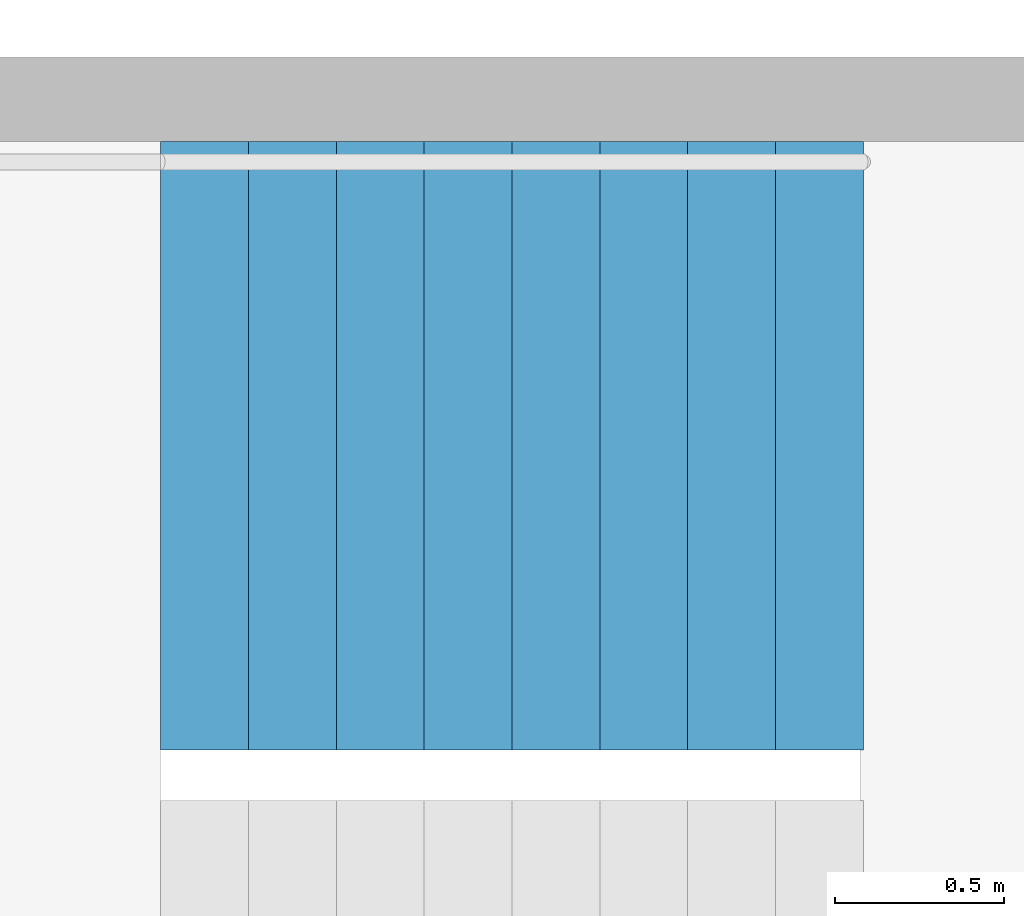
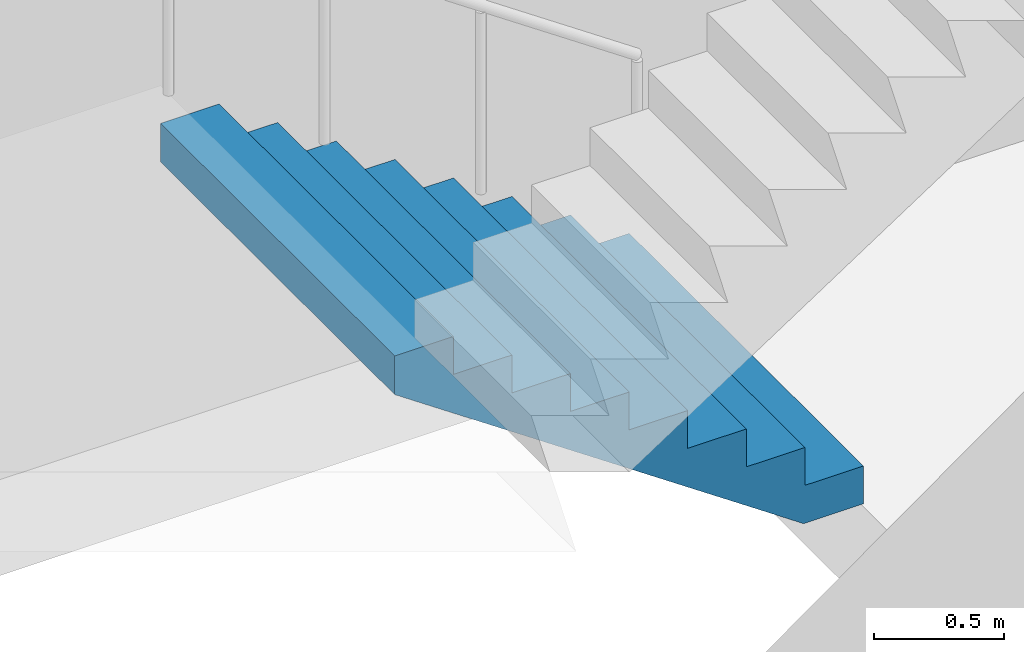
# One storey, part 19 of 26: 1 stair flight, 1 element without a shape of its own.
"""IFC4 building model written with IfcOpenShell, lengths in metres."""

from ifc_helpers import new_model, si_unit, direction, frame, origin, place, context, subcontext, project, spatial, triangles, material, type_object, element, aggregate, save


model = new_model("IFC4")

# Units and contexts
model_context = context("Model", 3, precision=1e-05, world=origin(), true_north=direction((0.0, 1.0)))
body_context = subcontext(model_context, "Body", "Model", "MODEL_VIEW")
ifc_project = project(units=[si_unit("LENGTHUNIT", "METRE"), si_unit("AREAUNIT", "SQUARE_METRE"), si_unit("VOLUMEUNIT", "CUBIC_METRE"), si_unit("PLANEANGLEUNIT", "RADIAN"), si_unit("MASSUNIT", "GRAM", prefix="KILO")], contexts=[model_context])

# Site, building, storey
site_placement = place(None, origin())
site = spatial("IfcSite", under=ifc_project, at=site_placement, CompositionType="ELEMENT")
building_placement = place(site_placement, origin())
building = spatial("IfcBuilding", under=site, at=building_placement, Name="Hakoniwa Tower and Hamabe Station Hall", CompositionType="ELEMENT")
storey_placement = place(building_placement, frame((0.0, 0.0, 199.39990234375)))
storey = spatial("IfcBuildingStorey", under=building, at=storey_placement, Name="L56", CompositionType="ELEMENT", Elevation=199.39990234375)

# Stair, stair flight
ifc_material_1 = material(Name="Concrete C40", Category="concrete")
stair_type = type_object("IfcStairType", Name="ESCAPE STAIR 1800", PredefinedType="HALF_TURN_STAIR", material=ifc_material_1)
stair_placement = place(storey_placement, origin())
stair = element("IfcStair", 1, at=stair_placement, inside=storey, type_object=stair_type, Name="Escape stair ST-2 L56", PredefinedType="HALF_TURN_STAIR")
ifc_material_2 = material(Name="Concrete C40", Category="concrete")
stair_flight_type = type_object("IfcStairFlightType", Name="STAIR FLIGHT 1800", PredefinedType="STRAIGHT", material=ifc_material_2)
stair_flight_placement = place(storey_placement, frame((-23.39990234375, -4.64990234375, 0.0), z_axis=(0.0, 0.0, 1.0), x_axis=(-1.0, 0.0, 0.0)))
stair_flight = element("IfcStairFlight", 2, at=stair_flight_placement, type_object=stair_flight_type, Name="ST-2 flight 1", NumberOfRisers=9, NumberOfTreads=8, PredefinedType="STRAIGHT", RiserHeight=0.177777778, TreadLength=0.26, context=body_context, shape_type="Tessellation", body=[
    triangles([(0.0, 0.89990234375, 0.0), (0.260009765625, 0.89990234375, 0.0), (0.265625, 0.89990234375, 0.0), (0.52001953125, 0.89990234375, 0.174072265625), (0.780029296875, 0.89990234375, 0.351806640625), (1.0400390625, 0.89990234375, 0.529541015625), (1.300048828125, 0.89990234375, 0.707275390625), (1.56005859375, 0.89990234375, 0.885009765625), (1.820068359375, 0.89990234375, 1.062744140625), (2.080078125, 0.89990234375, 1.24072265625), (2.080078125, 0.89990234375, 1.422119140625), (1.820068359375, 0.89990234375, 1.422119140625), (1.820068359375, 0.89990234375, 1.244384765625), (1.56005859375, 0.89990234375, 1.244384765625), (1.56005859375, 0.89990234375, 1.066650390625), (1.300048828125, 0.89990234375, 1.066650390625), (1.300048828125, 0.89990234375, 0.888916015625), (1.0400390625, 0.89990234375, 0.888916015625), (1.0400390625, 0.89990234375, 0.711181640625), (0.780029296875, 0.89990234375, 0.711181640625), (0.780029296875, 0.89990234375, 0.533447265625), (0.52001953125, 0.89990234375, 0.533447265625), (0.52001953125, 0.89990234375, 0.35546875), (0.265625, 0.89990234375, 0.35546875), (0.260009765625, 0.89990234375, 0.35546875), (0.260009765625, 0.89990234375, 0.177734375), (0.0, 0.89990234375, 0.177734375), (0.0, 0.06005859375, 0.0), (0.260009765625, 0.06005859375, 0.0), (0.265625, 0.06005859375, 0.0), (0.52001953125, 0.06005859375, 0.174072265625), (0.780029296875, 0.06005859375, 0.351806640625), (1.0400390625, 0.06005859375, 0.529541015625), (1.300048828125, 0.06005859375, 0.707275390625), (1.56005859375, 0.06005859375, 0.885009765625), (1.820068359375, 0.06005859375, 1.062744140625), (2.080078125, 0.06005859375, 1.24072265625), (2.080078125, 0.06005859375, 1.422119140625), (1.820068359375, 0.06005859375, 1.422119140625), (1.820068359375, 0.06005859375, 1.244384765625), (1.56005859375, 0.06005859375, 1.244384765625), (1.56005859375, 0.06005859375, 1.066650390625), (1.300048828125, 0.06005859375, 1.066650390625), (1.300048828125, 0.06005859375, 0.888916015625), (1.0400390625, 0.06005859375, 0.888916015625), (1.0400390625, 0.06005859375, 0.711181640625), (0.780029296875, 0.06005859375, 0.711181640625), (0.780029296875, 0.06005859375, 0.533447265625), (0.52001953125, 0.06005859375, 0.533447265625), (0.52001953125, 0.06005859375, 0.35546875), (0.265625, 0.06005859375, 0.35546875), (0.260009765625, 0.06005859375, 0.35546875), (0.260009765625, 0.06005859375, 0.177734375), (0.0, 0.06005859375, 0.177734375), (0.0, 0.04296875, 0.0), (0.260009765625, 0.04296875, 0.0), (0.265625, 0.04296875, 0.0), (0.52001953125, 0.04296875, 0.174072265625), (0.780029296875, 0.04296875, 0.351806640625), (1.0400390625, 0.04296875, 0.529541015625), (1.300048828125, 0.04296875, 0.707275390625), (1.56005859375, 0.04296875, 0.885009765625), (1.820068359375, 0.04296875, 1.062744140625), (2.080078125, 0.04296875, 1.24072265625), (2.080078125, 0.04296875, 1.422119140625), (1.820068359375, 0.04296875, 1.422119140625), (1.820068359375, 0.04296875, 1.244384765625), (1.56005859375, 0.04296875, 1.244384765625), (1.56005859375, 0.04296875, 1.066650390625), (1.300048828125, 0.04296875, 1.066650390625), (1.300048828125, 0.04296875, 0.888916015625), (1.0400390625, 0.04296875, 0.888916015625), (1.0400390625, 0.04296875, 0.711181640625), (0.780029296875, 0.04296875, 0.711181640625), (0.780029296875, 0.04296875, 0.533447265625), (0.52001953125, 0.04296875, 0.533447265625), (0.52001953125, 0.04296875, 0.35546875), (0.265625, 0.04296875, 0.35546875), (0.260009765625, 0.04296875, 0.35546875), (0.260009765625, 0.04296875, 0.177734375), (0.0, 0.04296875, 0.177734375), (0.0, 0.025634765625, 0.0), (0.260009765625, 0.025634765625, 0.0), (0.265625, 0.025634765625, 0.0), (0.52001953125, 0.025634765625, 0.174072265625), (0.780029296875, 0.025634765625, 0.351806640625), (1.0400390625, 0.025634765625, 0.529541015625), (1.300048828125, 0.025634765625, 0.707275390625), (1.56005859375, 0.025634765625, 0.885009765625), (1.820068359375, 0.025634765625, 1.062744140625), (2.080078125, 0.025634765625, 1.24072265625), (2.080078125, 0.025634765625, 1.422119140625), (1.820068359375, 0.025634765625, 1.422119140625), (1.820068359375, 0.025634765625, 1.244384765625), (1.56005859375, 0.025634765625, 1.244384765625), (1.56005859375, 0.025634765625, 1.066650390625), (1.300048828125, 0.025634765625, 1.066650390625), (1.300048828125, 0.025634765625, 0.888916015625), (1.0400390625, 0.025634765625, 0.888916015625), (1.0400390625, 0.025634765625, 0.711181640625), (0.780029296875, 0.025634765625, 0.711181640625), (0.780029296875, 0.025634765625, 0.533447265625), (0.52001953125, 0.025634765625, 0.533447265625), (0.52001953125, 0.025634765625, 0.35546875), (0.265625, 0.025634765625, 0.35546875), (0.260009765625, 0.025634765625, 0.35546875), (0.260009765625, 0.025634765625, 0.177734375), (0.0, 0.025634765625, 0.177734375), (0.0, 0.008544921875, 0.0), (0.260009765625, 0.008544921875, 0.0), (0.265625, 0.008544921875, 0.0), (0.52001953125, 0.008544921875, 0.174072265625), (0.780029296875, 0.008544921875, 0.351806640625), (1.0400390625, 0.008544921875, 0.529541015625), (1.300048828125, 0.008544921875, 0.707275390625), (1.56005859375, 0.008544921875, 0.885009765625), (1.820068359375, 0.008544921875, 1.062744140625), (2.080078125, 0.008544921875, 1.24072265625), (2.080078125, 0.008544921875, 1.422119140625), (1.820068359375, 0.008544921875, 1.422119140625), (1.820068359375, 0.008544921875, 1.244384765625), (1.56005859375, 0.008544921875, 1.244384765625), (1.56005859375, 0.008544921875, 1.066650390625), (1.300048828125, 0.008544921875, 1.066650390625), (1.300048828125, 0.008544921875, 0.888916015625), (1.0400390625, 0.008544921875, 0.888916015625), (1.0400390625, 0.008544921875, 0.711181640625), (0.780029296875, 0.008544921875, 0.711181640625), (0.780029296875, 0.008544921875, 0.533447265625), (0.52001953125, 0.008544921875, 0.533447265625), (0.52001953125, 0.008544921875, 0.35546875), (0.265625, 0.008544921875, 0.35546875), (0.260009765625, 0.008544921875, 0.35546875), (0.260009765625, 0.008544921875, 0.177734375), (0.0, 0.008544921875, 0.177734375), (0.0, -0.008544921875, 0.0), (0.260009765625, -0.008544921875, 0.0), (0.265625, -0.008544921875, 0.0), (0.52001953125, -0.008544921875, 0.174072265625), (0.780029296875, -0.008544921875, 0.351806640625), (1.0400390625, -0.008544921875, 0.529541015625), (1.300048828125, -0.008544921875, 0.707275390625), (1.56005859375, -0.008544921875, 0.885009765625), (1.820068359375, -0.008544921875, 1.062744140625), (2.080078125, -0.008544921875, 1.24072265625), (2.080078125, -0.008544921875, 1.422119140625), (1.820068359375, -0.008544921875, 1.422119140625), (1.820068359375, -0.008544921875, 1.244384765625), (1.56005859375, -0.008544921875, 1.244384765625), (1.56005859375, -0.008544921875, 1.066650390625), (1.300048828125, -0.008544921875, 1.066650390625), (1.300048828125, -0.008544921875, 0.888916015625), (1.0400390625, -0.008544921875, 0.888916015625), (1.0400390625, -0.008544921875, 0.711181640625), (0.780029296875, -0.008544921875, 0.711181640625), (0.780029296875, -0.008544921875, 0.533447265625), (0.52001953125, -0.008544921875, 0.533447265625), (0.52001953125, -0.008544921875, 0.35546875), (0.265625, -0.008544921875, 0.35546875), (0.260009765625, -0.008544921875, 0.35546875), (0.260009765625, -0.008544921875, 0.177734375), (0.0, -0.008544921875, 0.177734375), (0.0, -0.025634765625, 0.0), (0.260009765625, -0.025634765625, 0.0), (0.265625, -0.025634765625, 0.0), (0.52001953125, -0.025634765625, 0.174072265625), (0.780029296875, -0.025634765625, 0.351806640625), (1.0400390625, -0.025634765625, 0.529541015625), (1.300048828125, -0.025634765625, 0.707275390625), (1.56005859375, -0.025634765625, 0.885009765625), (1.820068359375, -0.025634765625, 1.062744140625), (2.080078125, -0.025634765625, 1.24072265625), (2.080078125, -0.025634765625, 1.422119140625), (1.820068359375, -0.025634765625, 1.422119140625), (1.820068359375, -0.025634765625, 1.244384765625), (1.56005859375, -0.025634765625, 1.244384765625), (1.56005859375, -0.025634765625, 1.066650390625), (1.300048828125, -0.025634765625, 1.066650390625), (1.300048828125, -0.025634765625, 0.888916015625), (1.0400390625, -0.025634765625, 0.888916015625), (1.0400390625, -0.025634765625, 0.711181640625), (0.780029296875, -0.025634765625, 0.711181640625), (0.780029296875, -0.025634765625, 0.533447265625), (0.52001953125, -0.025634765625, 0.533447265625), (0.52001953125, -0.025634765625, 0.35546875), (0.265625, -0.025634765625, 0.35546875), (0.260009765625, -0.025634765625, 0.35546875), (0.260009765625, -0.025634765625, 0.177734375), (0.0, -0.025634765625, 0.177734375), (0.0, -0.04296875, 0.0), (0.260009765625, -0.04296875, 0.0), (0.265625, -0.04296875, 0.0), (0.52001953125, -0.04296875, 0.174072265625), (0.780029296875, -0.04296875, 0.351806640625), (1.0400390625, -0.04296875, 0.529541015625), (1.300048828125, -0.04296875, 0.707275390625), (1.56005859375, -0.04296875, 0.885009765625), (1.820068359375, -0.04296875, 1.062744140625), (2.080078125, -0.04296875, 1.24072265625), (2.080078125, -0.04296875, 1.422119140625), (1.820068359375, -0.04296875, 1.422119140625), (1.820068359375, -0.04296875, 1.244384765625), (1.56005859375, -0.04296875, 1.244384765625), (1.56005859375, -0.04296875, 1.066650390625), (1.300048828125, -0.04296875, 1.066650390625), (1.300048828125, -0.04296875, 0.888916015625), (1.0400390625, -0.04296875, 0.888916015625), (1.0400390625, -0.04296875, 0.711181640625), (0.780029296875, -0.04296875, 0.711181640625), (0.780029296875, -0.04296875, 0.533447265625), (0.52001953125, -0.04296875, 0.533447265625), (0.52001953125, -0.04296875, 0.35546875), (0.265625, -0.04296875, 0.35546875), (0.260009765625, -0.04296875, 0.35546875), (0.260009765625, -0.04296875, 0.177734375), (0.0, -0.04296875, 0.177734375), (0.0, -0.06005859375, 0.0), (0.260009765625, -0.06005859375, 0.0), (0.265625, -0.06005859375, 0.0), (0.52001953125, -0.06005859375, 0.174072265625), (0.780029296875, -0.06005859375, 0.351806640625), (1.0400390625, -0.06005859375, 0.529541015625), (1.300048828125, -0.06005859375, 0.707275390625), (1.56005859375, -0.06005859375, 0.885009765625), (1.820068359375, -0.06005859375, 1.062744140625), (2.080078125, -0.06005859375, 1.24072265625), (2.080078125, -0.06005859375, 1.422119140625), (1.820068359375, -0.06005859375, 1.422119140625), (1.820068359375, -0.06005859375, 1.244384765625), (1.56005859375, -0.06005859375, 1.244384765625), (1.56005859375, -0.06005859375, 1.066650390625), (1.300048828125, -0.06005859375, 1.066650390625), (1.300048828125, -0.06005859375, 0.888916015625), (1.0400390625, -0.06005859375, 0.888916015625), (1.0400390625, -0.06005859375, 0.711181640625), (0.780029296875, -0.06005859375, 0.711181640625), (0.780029296875, -0.06005859375, 0.533447265625), (0.52001953125, -0.06005859375, 0.533447265625), (0.52001953125, -0.06005859375, 0.35546875), (0.265625, -0.06005859375, 0.35546875), (0.260009765625, -0.06005859375, 0.35546875), (0.260009765625, -0.06005859375, 0.177734375), (0.0, -0.06005859375, 0.177734375), (0.0, -0.89990234375, 0.0), (0.260009765625, -0.89990234375, 0.0), (0.265625, -0.89990234375, 0.0), (0.52001953125, -0.89990234375, 0.174072265625), (0.780029296875, -0.89990234375, 0.351806640625), (1.0400390625, -0.89990234375, 0.529541015625), (1.300048828125, -0.89990234375, 0.707275390625), (1.56005859375, -0.89990234375, 0.885009765625), (1.820068359375, -0.89990234375, 1.062744140625), (2.080078125, -0.89990234375, 1.24072265625), (2.080078125, -0.89990234375, 1.422119140625), (1.820068359375, -0.89990234375, 1.422119140625), (1.820068359375, -0.89990234375, 1.244384765625), (1.56005859375, -0.89990234375, 1.244384765625), (1.56005859375, -0.89990234375, 1.066650390625), (1.300048828125, -0.89990234375, 1.066650390625), (1.300048828125, -0.89990234375, 0.888916015625), (1.0400390625, -0.89990234375, 0.888916015625), (1.0400390625, -0.89990234375, 0.711181640625), (0.780029296875, -0.89990234375, 0.711181640625), (0.780029296875, -0.89990234375, 0.533447265625), (0.52001953125, -0.89990234375, 0.533447265625), (0.52001953125, -0.89990234375, 0.35546875), (0.265625, -0.89990234375, 0.35546875), (0.260009765625, -0.89990234375, 0.35546875), (0.260009765625, -0.89990234375, 0.177734375), (0.0, -0.89990234375, 0.177734375)], [[2, 27, 26], [245, 269, 270], [2, 1, 27], [245, 270, 244], [3, 25, 24], [246, 267, 268], [3, 26, 25], [246, 268, 269], [3, 2, 26], [246, 269, 245], [4, 24, 23], [247, 266, 267], [4, 3, 24], [247, 267, 246], [5, 22, 21], [248, 264, 265], [5, 23, 22], [248, 265, 266], [5, 4, 23], [248, 266, 247], [6, 20, 19], [249, 262, 263], [6, 21, 20], [249, 263, 264], [6, 5, 21], [249, 264, 248], [7, 18, 17], [250, 260, 261], [7, 19, 18], [250, 261, 262], [7, 6, 19], [250, 262, 249], [8, 16, 15], [251, 258, 259], [8, 17, 16], [251, 259, 260], [8, 7, 17], [251, 260, 250], [9, 14, 13], [252, 256, 257], [9, 15, 14], [252, 257, 258], [9, 8, 15], [252, 258, 251], [10, 12, 11], [253, 254, 255], [10, 13, 12], [253, 255, 256], [10, 9, 13], [253, 256, 252], [1, 2, 29], [1, 29, 28], [28, 29, 56], [28, 56, 55], [55, 56, 83], [55, 83, 82], [82, 83, 110], [82, 110, 109], [109, 110, 137], [109, 137, 136], [136, 137, 164], [136, 164, 163], [163, 164, 191], [163, 191, 190], [190, 191, 218], [190, 218, 217], [217, 218, 245], [217, 245, 244], [2, 3, 30], [2, 30, 29], [29, 30, 57], [29, 57, 56], [56, 57, 84], [56, 84, 83], [83, 84, 111], [83, 111, 110], [110, 111, 138], [110, 138, 137], [137, 138, 165], [137, 165, 164], [164, 165, 192], [164, 192, 191], [191, 192, 219], [191, 219, 218], [218, 219, 246], [218, 246, 245], [3, 4, 31], [3, 31, 30], [30, 31, 58], [30, 58, 57], [57, 58, 85], [57, 85, 84], [84, 85, 112], [84, 112, 111], [111, 112, 139], [111, 139, 138], [138, 139, 166], [138, 166, 165], [165, 166, 193], [165, 193, 192], [192, 193, 220], [192, 220, 219], [219, 220, 247], [219, 247, 246], [4, 5, 32], [4, 32, 31], [31, 32, 59], [31, 59, 58], [58, 59, 86], [58, 86, 85], [85, 86, 113], [85, 113, 112], [112, 113, 140], [112, 140, 139], [139, 140, 167], [139, 167, 166], [166, 167, 194], [166, 194, 193], [193, 194, 221], [193, 221, 220], [220, 221, 248], [220, 248, 247], [5, 6, 33], [5, 33, 32], [32, 33, 60], [32, 60, 59], [59, 60, 87], [59, 87, 86], [86, 87, 114], [86, 114, 113], [113, 114, 141], [113, 141, 140], [140, 141, 168], [140, 168, 167], [167, 168, 195], [167, 195, 194], [194, 195, 222], [194, 222, 221], [221, 222, 249], [221, 249, 248], [6, 7, 34], [6, 34, 33], [33, 34, 61], [33, 61, 60], [60, 61, 88], [60, 88, 87], [87, 88, 115], [87, 115, 114], [114, 115, 142], [114, 142, 141], [141, 142, 169], [141, 169, 168], [168, 169, 196], [168, 196, 195], [195, 196, 223], [195, 223, 222], [222, 223, 250], [222, 250, 249], [7, 8, 35], [7, 35, 34], [34, 35, 62], [34, 62, 61], [61, 62, 89], [61, 89, 88], [88, 89, 116], [88, 116, 115], [115, 116, 143], [115, 143, 142], [142, 143, 170], [142, 170, 169], [169, 170, 197], [169, 197, 196], [196, 197, 224], [196, 224, 223], [223, 224, 251], [223, 251, 250], [8, 9, 36], [8, 36, 35], [35, 36, 63], [35, 63, 62], [62, 63, 90], [62, 90, 89], [89, 90, 117], [89, 117, 116], [116, 117, 144], [116, 144, 143], [143, 144, 171], [143, 171, 170], [170, 171, 198], [170, 198, 197], [197, 198, 225], [197, 225, 224], [224, 225, 252], [224, 252, 251], [9, 10, 37], [9, 37, 36], [36, 37, 64], [36, 64, 63], [63, 64, 91], [63, 91, 90], [90, 91, 118], [90, 118, 117], [117, 118, 145], [117, 145, 144], [144, 145, 172], [144, 172, 171], [171, 172, 199], [171, 199, 198], [198, 199, 226], [198, 226, 225], [225, 226, 253], [225, 253, 252], [10, 11, 38], [10, 38, 37], [37, 38, 65], [37, 65, 64], [64, 65, 92], [64, 92, 91], [91, 92, 119], [91, 119, 118], [118, 119, 146], [118, 146, 145], [145, 146, 173], [145, 173, 172], [172, 173, 200], [172, 200, 199], [199, 200, 227], [199, 227, 226], [226, 227, 254], [226, 254, 253], [11, 12, 39], [11, 39, 38], [38, 39, 66], [38, 66, 65], [65, 66, 93], [65, 93, 92], [92, 93, 120], [92, 120, 119], [119, 120, 147], [119, 147, 146], [146, 147, 174], [146, 174, 173], [173, 174, 201], [173, 201, 200], [200, 201, 228], [200, 228, 227], [227, 228, 255], [227, 255, 254], [12, 13, 40], [12, 40, 39], [39, 40, 67], [39, 67, 66], [66, 67, 94], [66, 94, 93], [93, 94, 121], [93, 121, 120], [120, 121, 148], [120, 148, 147], [147, 148, 175], [147, 175, 174], [174, 175, 202], [174, 202, 201], [201, 202, 229], [201, 229, 228], [228, 229, 256], [228, 256, 255], [13, 14, 41], [13, 41, 40], [40, 41, 68], [40, 68, 67], [67, 68, 95], [67, 95, 94], [94, 95, 122], [94, 122, 121], [121, 122, 149], [121, 149, 148], [148, 149, 176], [148, 176, 175], [175, 176, 203], [175, 203, 202], [202, 203, 230], [202, 230, 229], [229, 230, 257], [229, 257, 256], [14, 15, 42], [14, 42, 41], [41, 42, 69], [41, 69, 68], [68, 69, 96], [68, 96, 95], [95, 96, 123], [95, 123, 122], [122, 123, 150], [122, 150, 149], [149, 150, 177], [149, 177, 176], [176, 177, 204], [176, 204, 203], [203, 204, 231], [203, 231, 230], [230, 231, 258], [230, 258, 257], [15, 16, 43], [15, 43, 42], [42, 43, 70], [42, 70, 69], [69, 70, 97], [69, 97, 96], [96, 97, 124], [96, 124, 123], [123, 124, 151], [123, 151, 150], [150, 151, 178], [150, 178, 177], [177, 178, 205], [177, 205, 204], [204, 205, 232], [204, 232, 231], [231, 232, 259], [231, 259, 258], [16, 17, 44], [16, 44, 43], [43, 44, 71], [43, 71, 70], [70, 71, 98], [70, 98, 97], [97, 98, 125], [97, 125, 124], [124, 125, 152], [124, 152, 151], [151, 152, 179], [151, 179, 178], [178, 179, 206], [178, 206, 205], [205, 206, 233], [205, 233, 232], [232, 233, 260], [232, 260, 259], [17, 18, 45], [17, 45, 44], [44, 45, 72], [44, 72, 71], [71, 72, 99], [71, 99, 98], [98, 99, 126], [98, 126, 125], [125, 126, 153], [125, 153, 152], [152, 153, 180], [152, 180, 179], [179, 180, 207], [179, 207, 206], [206, 207, 234], [206, 234, 233], [233, 234, 261], [233, 261, 260], [18, 19, 46], [18, 46, 45], [45, 46, 73], [45, 73, 72], [72, 73, 100], [72, 100, 99], [99, 100, 127], [99, 127, 126], [126, 127, 154], [126, 154, 153], [153, 154, 181], [153, 181, 180], [180, 181, 208], [180, 208, 207], [207, 208, 235], [207, 235, 234], [234, 235, 262], [234, 262, 261], [19, 20, 47], [19, 47, 46], [46, 47, 74], [46, 74, 73], [73, 74, 101], [73, 101, 100], [100, 101, 128], [100, 128, 127], [127, 128, 155], [127, 155, 154], [154, 155, 182], [154, 182, 181], [181, 182, 209], [181, 209, 208], [208, 209, 236], [208, 236, 235], [235, 236, 263], [235, 263, 262], [20, 21, 48], [20, 48, 47], [47, 48, 75], [47, 75, 74], [74, 75, 102], [74, 102, 101], [101, 102, 129], [101, 129, 128], [128, 129, 156], [128, 156, 155], [155, 156, 183], [155, 183, 182], [182, 183, 210], [182, 210, 209], [209, 210, 237], [209, 237, 236], [236, 237, 264], [236, 264, 263], [21, 22, 49], [21, 49, 48], [48, 49, 76], [48, 76, 75], [75, 76, 103], [75, 103, 102], [102, 103, 130], [102, 130, 129], [129, 130, 157], [129, 157, 156], [156, 157, 184], [156, 184, 183], [183, 184, 211], [183, 211, 210], [210, 211, 238], [210, 238, 237], [237, 238, 265], [237, 265, 264], [22, 23, 50], [22, 50, 49], [49, 50, 77], [49, 77, 76], [76, 77, 104], [76, 104, 103], [103, 104, 131], [103, 131, 130], [130, 131, 158], [130, 158, 157], [157, 158, 185], [157, 185, 184], [184, 185, 212], [184, 212, 211], [211, 212, 239], [211, 239, 238], [238, 239, 266], [238, 266, 265], [23, 24, 51], [23, 51, 50], [50, 51, 78], [50, 78, 77], [77, 78, 105], [77, 105, 104], [104, 105, 132], [104, 132, 131], [131, 132, 159], [131, 159, 158], [158, 159, 186], [158, 186, 185], [185, 186, 213], [185, 213, 212], [212, 213, 240], [212, 240, 239], [239, 240, 267], [239, 267, 266], [24, 25, 52], [24, 52, 51], [51, 52, 79], [51, 79, 78], [78, 79, 106], [78, 106, 105], [105, 106, 133], [105, 133, 132], [132, 133, 160], [132, 160, 159], [159, 160, 187], [159, 187, 186], [186, 187, 214], [186, 214, 213], [213, 214, 241], [213, 241, 240], [240, 241, 268], [240, 268, 267], [25, 26, 53], [25, 53, 52], [52, 53, 80], [52, 80, 79], [79, 80, 107], [79, 107, 106], [106, 107, 134], [106, 134, 133], [133, 134, 161], [133, 161, 160], [160, 161, 188], [160, 188, 187], [187, 188, 215], [187, 215, 214], [214, 215, 242], [214, 242, 241], [241, 242, 269], [241, 269, 268], [26, 27, 54], [26, 54, 53], [53, 54, 81], [53, 81, 80], [80, 81, 108], [80, 108, 107], [107, 108, 135], [107, 135, 134], [134, 135, 162], [134, 162, 161], [161, 162, 189], [161, 189, 188], [188, 189, 216], [188, 216, 215], [215, 216, 243], [215, 243, 242], [242, 243, 270], [242, 270, 269], [27, 1, 28], [27, 28, 54], [54, 28, 55], [54, 55, 81], [81, 55, 82], [81, 82, 108], [108, 82, 109], [108, 109, 135], [135, 109, 136], [135, 136, 162], [162, 136, 163], [162, 163, 189], [189, 163, 190], [189, 190, 216], [216, 190, 217], [216, 217, 243], [243, 217, 244], [243, 244, 270]], closed=True),
])
aggregate(stair, [stair_flight])

save(model, "model.ifc")
